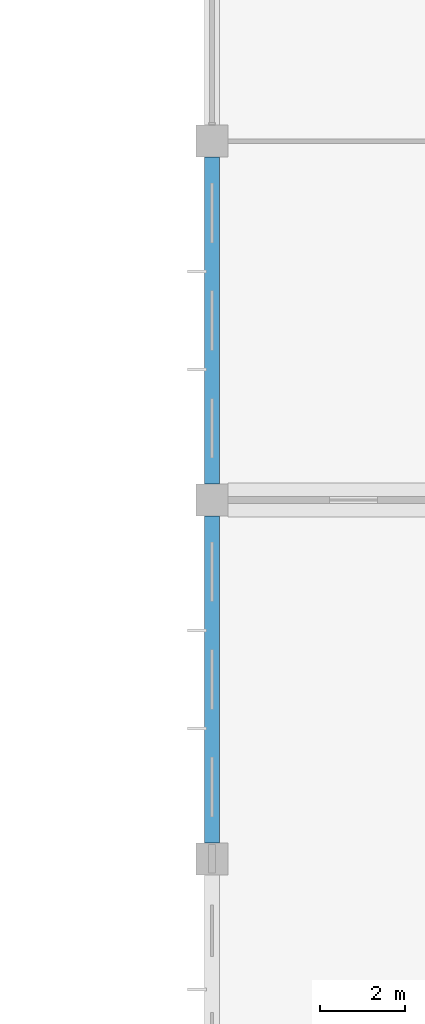
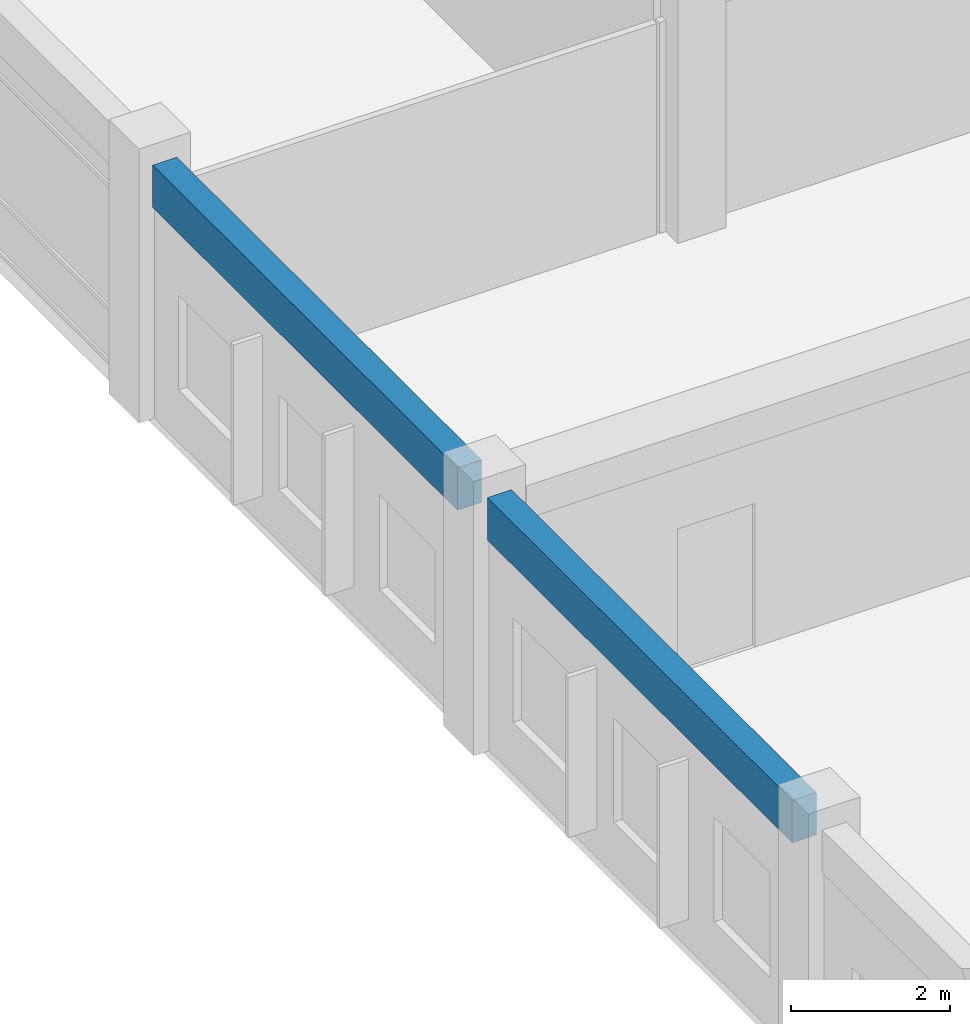
# One storey, part 8 of 53: 2 beams.
"""IFC4 building model written with IfcOpenShell, lengths in metres."""

from ifc_helpers import new_model, si_unit, direction, frame, origin, origin_2d, place, context, subcontext, project, spatial, rectangle, extrude, material, material_profile, profile_set, type_object, element, save


model = new_model("IFC4")

# Units and contexts
model_context = context("Model", 3, precision=1e-05, world=origin(), true_north=direction((0.0, 1.0)))
body_context = subcontext(model_context, "Body", "Model", "MODEL_VIEW")
ifc_project = project(units=[si_unit("LENGTHUNIT", "METRE"), si_unit("AREAUNIT", "SQUARE_METRE"), si_unit("VOLUMEUNIT", "CUBIC_METRE"), si_unit("PLANEANGLEUNIT", "RADIAN"), si_unit("MASSUNIT", "GRAM", prefix="KILO"), si_unit("THERMODYNAMICTEMPERATUREUNIT", "KELVIN"), si_unit("POWERUNIT", "WATT")], contexts=[model_context])

# Site, building, storey
site_placement = place(None, origin())
site = spatial("IfcSite", under=ifc_project, at=site_placement, CompositionType="ELEMENT")
building_placement = place(site_placement, origin())
building = spatial("IfcBuilding", under=site, at=building_placement, Name="Srebrne Nadtorze General Hospital", CompositionType="ELEMENT")
storey_placement = place(building_placement, frame((0.0, 0.0, 18.0)))
storey = spatial("IfcBuildingStorey", under=building, at=storey_placement, Name="L04", CompositionType="ELEMENT", Elevation=18.0)

# Beams
ifc_material = material(Name="Concrete C35/45", Category="concrete")
ifc_material_profile = material_profile(ifc_material, rectangle(XDim=0.35009765625, YDim=0.64990234375, at=origin_2d()), Name="RC-BM-350x650")
ifc_profile_set = profile_set([ifc_material_profile], Name="Concrete C35/45")
beam_type = type_object("IfcBeamType", Name="Edge beam RC 350x650", PredefinedType="BEAM", material=ifc_profile_set)
beam_1_placement = place(storey_placement, frame((101.39990234375, 17.175048828125, 3.56005859375), z_axis=(0.0, 1.0, 0.0), x_axis=(-1.0, 0.0, 0.0)))
element("IfcBeam", 1, at=beam_1_placement, inside=storey, type_object=beam_type, Name="Beam BM-L04-Y-0959", PredefinedType="BEAM", context=body_context, shape_type="SweptSolid", body=[
    extrude(rectangle(XDim=0.35009765625, YDim=0.64990234375, at=origin_2d()), origin(), (0.0, 0.0, 1.0), 7.64990234375),
])
beam_2_placement = place(storey_placement, frame((101.39990234375, 25.574951171875, 3.56005859375), z_axis=(0.0, 1.0, 0.0), x_axis=(-1.0, 0.0, 0.0)))
element("IfcBeam", 2, at=beam_2_placement, inside=storey, type_object=beam_type, Name="Beam BM-L04-Y-0960", PredefinedType="BEAM", context=body_context, shape_type="SweptSolid", body=[
    extrude(rectangle(XDim=0.35009765625, YDim=0.64990234375, at=origin_2d()), origin(), (0.0, 0.0, 1.0), 7.650146484375),
])

save(model, "model.ifc")
